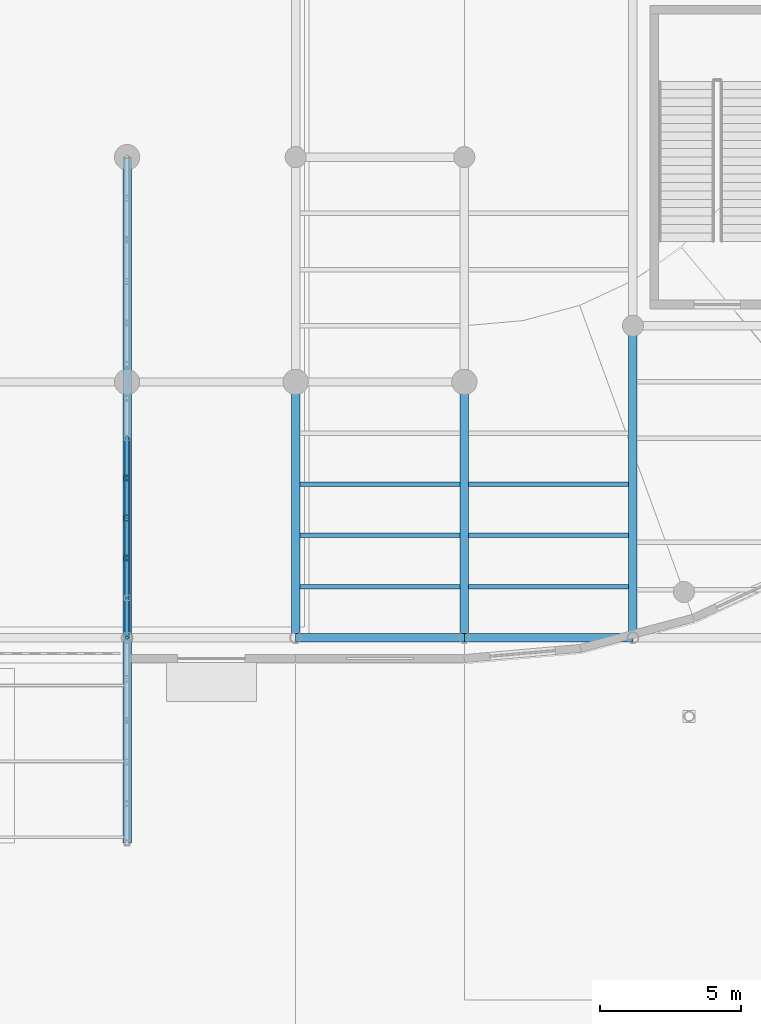
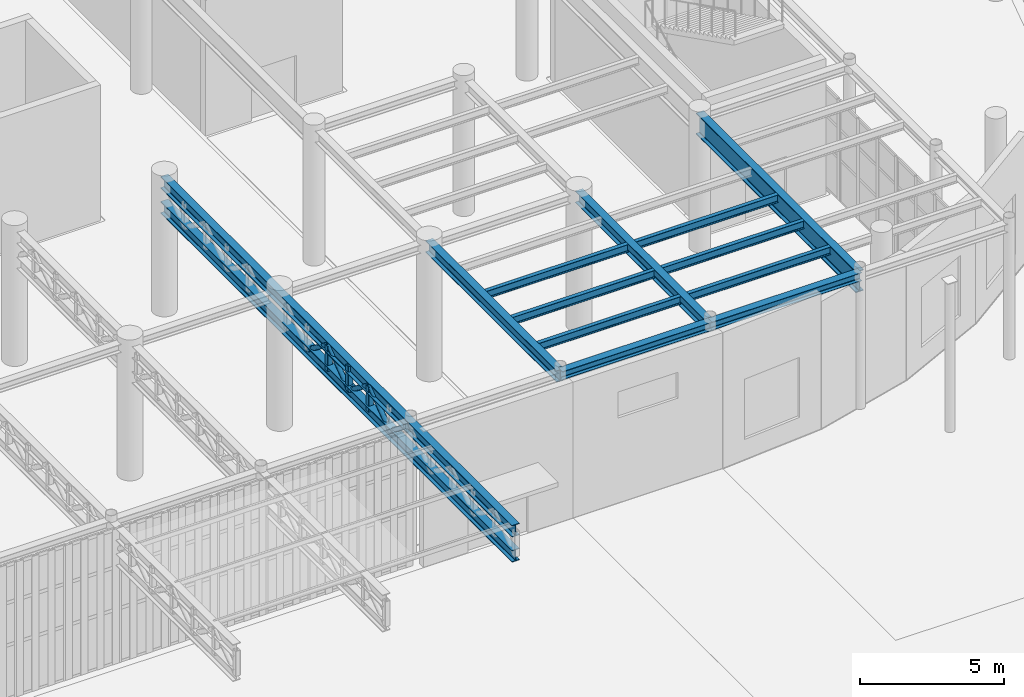
# One storey, part 25 of 118: 11 beams, 10 members.
"""IFC4 building model written with IfcOpenShell, lengths in metres."""

from ifc_helpers import new_model, si_unit, direction, frame, origin, origin_2d, place, context, subcontext, project, spatial, hollow_rectangle, hollow_circle, i_section, extrude, material, material_profile, profile_set, type_object, element, save


model = new_model("IFC4")

# Units and contexts
model_context = context("Model", 3, precision=1e-05, world=origin(), true_north=direction((0.0, 1.0)))
body_context = subcontext(model_context, "Body", "Model", "MODEL_VIEW")
ifc_project = project(units=[si_unit("LENGTHUNIT", "METRE"), si_unit("AREAUNIT", "SQUARE_METRE"), si_unit("VOLUMEUNIT", "CUBIC_METRE"), si_unit("PLANEANGLEUNIT", "RADIAN"), si_unit("MASSUNIT", "GRAM", prefix="KILO")], contexts=[model_context])

# Site, building, storey
site_placement = place(None, origin())
site = spatial("IfcSite", under=ifc_project, at=site_placement, CompositionType="ELEMENT")
building_placement = place(site_placement, origin())
building = spatial("IfcBuilding", under=site, at=building_placement, Name="Kolvaren Corner Interchange", CompositionType="ELEMENT")
storey_placement = place(building_placement, origin())
storey = spatial("IfcBuildingStorey", under=building, at=storey_placement, Name="L01", CompositionType="ELEMENT", Elevation=0.0)

# Beams
ifc_material_1 = material(Name="Steel S355", Category="steel")
ifc_material_profile_1 = material_profile(ifc_material_1, i_section(OverallWidth=0.300048828125, OverallDepth=0.35009765625, WebThickness=0.010009765625, FlangeThickness=0.017578125, FilletRadius=0.027099609375, at=origin_2d()), Name="HEA 360")
ifc_profile_set_1 = profile_set([ifc_material_profile_1], Name="Steel S355")
beam_type_1 = type_object("IfcBeamType", Name="BM-HEA360", PredefinedType="BEAM", material=ifc_profile_set_1)
for number, where, z_axis, x_axis, name in (
    (1, (114.0, 24.89990234375, 5.574951171875), (1.0, 0.0, 0.0), (0.0, 1.0, 0.0), "Storey L01 Grid X Primary Girder 0222"),
    (2, (120.0, 24.89990234375, 5.574951171875), (1.0, 0.0, 0.0), (0.0, 1.0, 0.0), "Storey L01 Grid X Primary Girder 0223"),
):
    element("IfcBeam", number, at=place(storey_placement, frame(where, z_axis=z_axis, x_axis=x_axis)), inside=storey, type_object=beam_type_1, Name=name, PredefinedType="BEAM", context=body_context, shape_type="SweptSolid", body=[
        extrude(i_section(OverallWidth=0.300048828125, OverallDepth=0.35009765625, WebThickness=0.010009765625, FlangeThickness=0.017578125, FilletRadius=0.027099609375, at=origin_2d()), origin(), (0.0, 0.0, 1.0), 6.0),
    ])
ifc_material_2 = material(Name="Steel S355", Category="steel")
ifc_material_profile_2 = material_profile(ifc_material_2, i_section(OverallWidth=0.300048828125, OverallDepth=0.489990234375, WebThickness=0.011962890625, FlangeThickness=0.02294921875, FilletRadius=0.027099609375, at=origin_2d()), Name="HEA 500")
ifc_profile_set_2 = profile_set([ifc_material_profile_2], Name="Steel S355")
beam_type_2 = type_object("IfcBeamType", Name="BM-HEA500", PredefinedType="BEAM", material=ifc_profile_set_2)
for number, where, z_axis, x_axis, name in (
    (3, (114.0, 24.89990234375, 5.5048828125), (0.0, 1.0, 0.0), (-1.0, 0.0, 0.0), "Storey L01 Grid Y Primary Girder 0358"),
    (4, (120.0, 24.89990234375, 5.5048828125), (0.0, 1.0, 0.0), (-1.0, 0.0, 0.0), "Storey L01 Grid Y Primary Girder 0363"),
):
    element("IfcBeam", number, at=place(storey_placement, frame(where, z_axis=z_axis, x_axis=x_axis)), inside=storey, type_object=beam_type_2, Name=name, PredefinedType="BEAM", context=body_context, shape_type="SweptSolid", body=[
        extrude(i_section(OverallWidth=0.300048828125, OverallDepth=0.489990234375, WebThickness=0.011962890625, FlangeThickness=0.02294921875, FilletRadius=0.027099609375, at=origin_2d()), origin(), (0.0, 0.0, 1.0), 9.10009765625),
    ])
ifc_material_3 = material(Name="Steel S355", Category="steel")
ifc_material_profile_3 = material_profile(ifc_material_3, i_section(OverallWidth=0.300048828125, OverallDepth=0.89990234375, WebThickness=0.0185546875, FlangeThickness=0.034912109375, FilletRadius=0.030029296875, at=origin_2d()), Name="HEB 900")
ifc_profile_set_3 = profile_set([ifc_material_profile_3], Name="Steel S355")
beam_type_3 = type_object("IfcBeamType", Name="BM-HEB900", PredefinedType="BEAM", material=ifc_profile_set_3)
beam_placement = place(storey_placement, frame((126.0, 24.89990234375, 5.300048828125), z_axis=(0.0, 1.0, 0.0), x_axis=(-1.0, 0.0, 0.0)))
element("IfcBeam", 5, at=beam_placement, inside=storey, type_object=beam_type_3, Name="Storey L01 Grid Y Primary Girder 0365", PredefinedType="BEAM", context=body_context, shape_type="SweptSolid", body=[
    extrude(i_section(OverallWidth=0.300048828125, OverallDepth=0.89990234375, WebThickness=0.0185546875, FlangeThickness=0.034912109375, FilletRadius=0.030029296875, at=origin_2d()), origin(), (0.0, 0.0, 1.0), 11.10009765625),
])
ifc_material_4 = material(Name="Steel S355", Category="steel")
ifc_material_profile_4 = material_profile(ifc_material_4, i_section(OverallWidth=0.159912109375, OverallDepth=0.330078125, WebThickness=0.007568359375, FlangeThickness=0.011474609375, FilletRadius=0.01806640625, at=origin_2d()), Name="IPE 330")
ifc_profile_set_4 = profile_set([ifc_material_profile_4], Name="Steel S355")
beam_type_4 = type_object("IfcBeamType", Name="JS-IPE330", PredefinedType="JOIST", material=ifc_profile_set_4)
for number, where, z_axis, x_axis, name in (
    (6, (114.14990234375, 26.719970703125, 5.5849609375), (1.0, 0.0, 0.0), (0.0, 1.0, 0.0), "Storey L01 Composite Floor Joist 0361"),
    (7, (114.14990234375, 28.5400390625, 5.5849609375), (1.0, 0.0, 0.0), (0.0, 1.0, 0.0), "Storey L01 Composite Floor Joist 0362"),
    (8, (114.14990234375, 30.360107421875, 5.5849609375), (1.0, 0.0, 0.0), (0.0, 1.0, 0.0), "Storey L01 Composite Floor Joist 0363"),
    (9, (120.14990234375, 26.719970703125, 5.5849609375), (1.0, 0.0, 0.0), (0.0, 1.0, 0.0), "Storey L01 Composite Floor Joist 0368"),
    (10, (120.14990234375, 28.5400390625, 5.5849609375), (1.0, 0.0, 0.0), (0.0, 1.0, 0.0), "Storey L01 Composite Floor Joist 0369"),
    (11, (120.14990234375, 30.360107421875, 5.5849609375), (1.0, 0.0, 0.0), (0.0, 1.0, 0.0), "Storey L01 Composite Floor Joist 0370"),
):
    element("IfcBeam", number, at=place(storey_placement, frame(where, z_axis=z_axis, x_axis=x_axis)), inside=storey, type_object=beam_type_4, Name=name, PredefinedType="JOIST", context=body_context, shape_type="SweptSolid", body=[
        extrude(i_section(OverallWidth=0.159912109375, OverallDepth=0.330078125, WebThickness=0.007568359375, FlangeThickness=0.011474609375, FilletRadius=0.01806640625, at=origin_2d()), origin(), (0.0, 0.0, 1.0), 5.7001953125),
    ])

# Members
ifc_material_5 = material(Name="Steel S355", Category="steel")
ifc_material_profile_5 = material_profile(ifc_material_5, hollow_circle(Radius=0.096923828125, WallThickness=0.010009765625, at=origin_2d()), Name="CHS 193.7x10.0")
ifc_profile_set_5 = profile_set([ifc_material_profile_5], Name="Steel S355")
member_type_1 = type_object("IfcMemberType", Name="MEM-BR-CHS194", PredefinedType="BRACE", material=ifc_profile_set_5)
member_1_placement = place(storey_placement, frame((108.0, 24.89990234375, 5.469970703125), z_axis=(0.0, 0.801370032118, -0.598168932346), x_axis=(-1.0, 0.0, 0.0)))
element("IfcMember", 12, at=member_1_placement, inside=storey, type_object=member_type_1, Name="South Portal Cantilever Roof Truss L02 Line 7 Diagonal 06", PredefinedType="BRACE", context=body_context, shape_type="SweptSolid", body=[
    extrude(hollow_circle(Radius=0.096923828125, WallThickness=0.010009765625, at=origin_2d()), origin(), (0.0, 0.0, 1.0), 1.772216796875),
])
for number, where, z_axis, x_axis, name in (
    (13, (108.0, 26.320068359375, 4.409912109375), (0.0, 0.801320731352, 0.59823497516), (-1.0, 0.0, 0.0), "South Portal Cantilever Roof Truss L02 Line 7 Diagonal 07"),
    (14, (108.0, 27.739990234375, 5.469970703125), (0.0, 0.801320731352, -0.59823497516), (-1.0, 0.0, 0.0), "South Portal Cantilever Roof Truss L02 Line 7 Diagonal 08"),
):
    element("IfcMember", number, at=place(storey_placement, frame(where, z_axis=z_axis, x_axis=x_axis)), inside=storey, type_object=member_type_1, Name=name, PredefinedType="BRACE", context=body_context, shape_type="SweptSolid", body=[
        extrude(hollow_circle(Radius=0.096923828125, WallThickness=0.010009765625, at=origin_2d()), origin(), (0.0, 0.0, 1.0), 1.77197265625),
    ])
member_2_placement = place(storey_placement, frame((108.0, 29.159912109375, 4.409912109375), z_axis=(0.0, 0.801370032118, 0.598168932346), x_axis=(-1.0, 0.0, 0.0)))
element("IfcMember", 15, at=member_2_placement, inside=storey, type_object=member_type_1, Name="South Portal Cantilever Roof Truss L02 Line 7 Diagonal 09", PredefinedType="BRACE", context=body_context, shape_type="SweptSolid", body=[
    extrude(hollow_circle(Radius=0.096923828125, WallThickness=0.010009765625, at=origin_2d()), origin(), (0.0, 0.0, 1.0), 1.772216796875),
])
member_3_placement = place(storey_placement, frame((108.0, 30.580078125, 5.469970703125), z_axis=(0.0, 0.801320731352, -0.59823497516), x_axis=(-1.0, 0.0, 0.0)))
element("IfcMember", 16, at=member_3_placement, inside=storey, type_object=member_type_1, Name="South Portal Cantilever Roof Truss L02 Line 7 Diagonal 10", PredefinedType="BRACE", context=body_context, shape_type="SweptSolid", body=[
    extrude(hollow_circle(Radius=0.096923828125, WallThickness=0.010009765625, at=origin_2d()), origin(), (0.0, 0.0, 1.0), 1.77197265625),
])
ifc_material_6 = material(Name="Steel S355", Category="steel")
ifc_material_profile_6 = material_profile(ifc_material_6, i_section(OverallWidth=0.300048828125, OverallDepth=0.5, WebThickness=0.014404296875, FlangeThickness=0.028076171875, FilletRadius=0.027099609375, at=origin_2d()), Name="HEB 500")
ifc_profile_set_6 = profile_set([ifc_material_profile_6], Name="Steel S355")
member_type_2 = type_object("IfcMemberType", Name="MEM-CH-HEB500", PredefinedType="CHORD", material=ifc_profile_set_6)
for number, where, z_axis, x_axis, name in (
    (17, (108.0, 17.60009765625, 5.469970703125), (0.0, 1.0, 0.0), (-1.0, 0.0, 0.0), "South Portal Cantilever Roof Truss L02 Line 7 Top Chord"),
    (18, (108.0, 17.60009765625, 4.409912109375), (0.0, 1.0, 0.0), (-1.0, 0.0, 0.0), "South Portal Cantilever Roof Truss L02 Line 7 Bottom Chord"),
):
    element("IfcMember", number, at=place(storey_placement, frame(where, z_axis=z_axis, x_axis=x_axis)), inside=storey, type_object=member_type_2, Name=name, PredefinedType="CHORD", context=body_context, shape_type="SweptSolid", body=[
        extrude(i_section(OverallWidth=0.300048828125, OverallDepth=0.5, WebThickness=0.014404296875, FlangeThickness=0.028076171875, FilletRadius=0.027099609375, at=origin_2d()), origin(), (0.0, 0.0, 1.0), 24.39990234375),
    ])
ifc_material_7 = material(Name="Steel S355", Category="steel")
ifc_material_profile_7 = material_profile(ifc_material_7, hollow_rectangle(XDim=0.199951171875, YDim=0.199951171875, WallThickness=0.010009765625, InnerFilletRadius=0.010009765625, OuterFilletRadius=0.02001953125, at=origin_2d()), Name="SHS 200x200x10.0")
ifc_profile_set_7 = profile_set([ifc_material_profile_7], Name="Steel S355")
member_type_3 = type_object("IfcMemberType", Name="MEM-PT-SHS200", PredefinedType="POST", material=ifc_profile_set_7)
for number, where, z_axis, x_axis, name in (
    (19, (108.0, 27.739990234375, 4.409912109375), (0.0, 0.0, 1.0), (1.0, 0.0, 0.0), "South Portal Cantilever Roof Truss L02 Line 7 Web Post 08"),
    (20, (108.0, 29.159912109375, 4.409912109375), (0.0, 0.0, 1.0), (1.0, 0.0, 0.0), "South Portal Cantilever Roof Truss L02 Line 7 Web Post 09"),
    (21, (108.0, 30.580078125, 4.409912109375), (0.0, 0.0, 1.0), (1.0, 0.0, 0.0), "South Portal Cantilever Roof Truss L02 Line 7 Web Post 10"),
):
    element("IfcMember", number, at=place(storey_placement, frame(where, z_axis=z_axis, x_axis=x_axis)), inside=storey, type_object=member_type_3, Name=name, PredefinedType="POST", context=body_context, shape_type="SweptSolid", body=[
        extrude(hollow_rectangle(XDim=0.199951171875, YDim=0.199951171875, WallThickness=0.010009765625, InnerFilletRadius=0.010009765625, OuterFilletRadius=0.02001953125, at=origin_2d()), origin(), (0.0, 0.0, 1.0), 1.06005859375),
    ])

save(model, "model.ifc")
